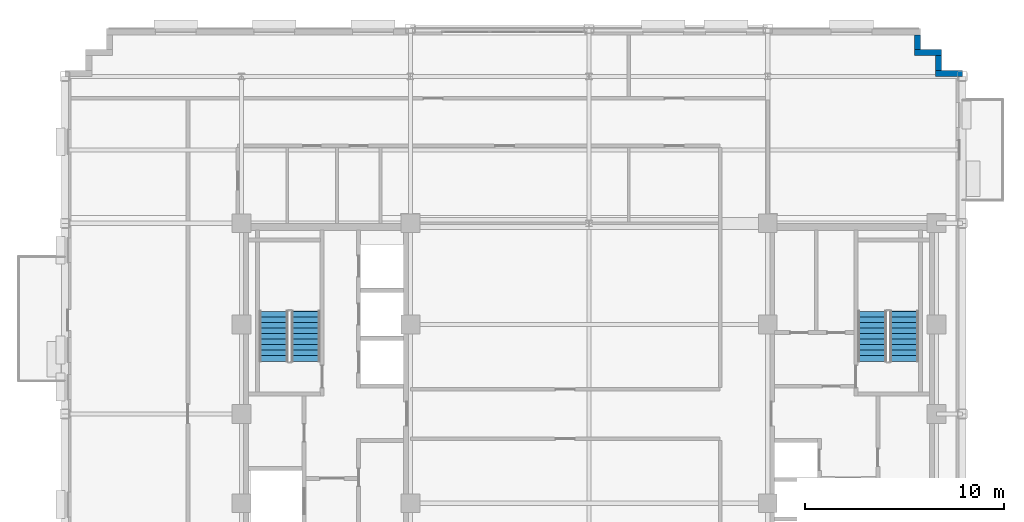
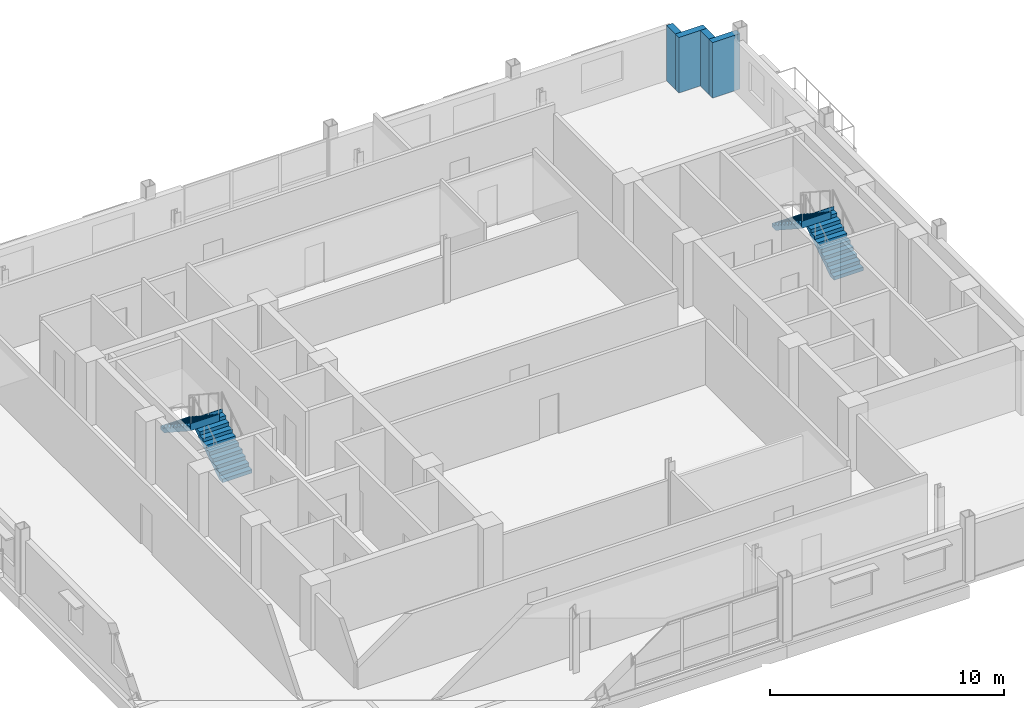
# One storey, part 9 of 15: 4 stair flights, 4 walls, 2 elements without a shape of their own.
"""IFC4 building model written with IfcOpenShell, lengths in metres."""

from ifc_helpers import new_model, si_unit, direction, frame, frame_2d, origin, place, context, subcontext, project, spatial, polyline, rectangle, outline, extrude, material, layer, layer_set, type_object, element, aggregate, save


model = new_model("IFC4")

# Units and contexts
model_context = context("Model", 3, precision=1e-05, world=origin(), true_north=direction((0.0, 1.0)))
body_context = subcontext(model_context, "Body", "Model", "MODEL_VIEW")
ifc_project = project(units=[si_unit("LENGTHUNIT", "METRE"), si_unit("AREAUNIT", "SQUARE_METRE"), si_unit("VOLUMEUNIT", "CUBIC_METRE"), si_unit("PLANEANGLEUNIT", "RADIAN"), si_unit("MASSUNIT", "GRAM", prefix="KILO")], contexts=[model_context])

# Site, building, storey
site_placement = place(None, origin())
site = spatial("IfcSite", under=ifc_project, at=site_placement, CompositionType="ELEMENT")
building_placement = place(site_placement, origin())
building = spatial("IfcBuilding", under=site, at=building_placement, Name="Nuvemarco Arch Tower", CompositionType="ELEMENT")
storey_placement = place(building_placement, frame((0.0, 0.0, 223.75)))
storey = spatial("IfcBuildingStorey", under=building, at=storey_placement, Name="L59", CompositionType="ELEMENT", Elevation=223.75)

# Walls
ifc_material = material(Name="Precast concrete C45/55", Category="concrete")
ifc_layer = layer(ifc_material, 0.31005859375, Name="EW-UPP-310")
ifc_layer_set = layer_set([ifc_layer], Name="Precast concrete C45/55")
wall_type = type_object("IfcWallType", Name="EW-UPP-310", PredefinedType="STANDARD", material=ifc_layer_set)
wall_1_placement = place(storey_placement, frame((17.43994140625, 17.14501953125, 0.0), z_axis=(0.0, 0.0, 1.0), x_axis=(1.0, 0.0, 0.0)))
element("IfcWall", 1, at=wall_1_placement, inside=storey, type_object=wall_type, Name="L59 exterior precast facade wall 7", PredefinedType="STANDARD", context=body_context, shape_type="SweptSolid", body=[
    extrude(rectangle(XDim=1.360107421875, YDim=0.31005859375, at=frame_2d((0.68017578125, 0.0))), origin(), (0.0, 0.0, 1.0), 2.89208984375),
])
wall_2_placement = place(storey_placement, frame((17.594970703125, 17.2958984375, 0.0), z_axis=(0.0, 0.0, 1.0), x_axis=(0.0, 1.0, 0.0)))
element("IfcWall", 2, at=wall_2_placement, inside=storey, type_object=wall_type, Name="L59 exterior precast facade wall 8", PredefinedType="STANDARD", context=body_context, shape_type="SweptSolid", body=[
    extrude(rectangle(XDim=0.748046875, YDim=0.31005859375, at=frame_2d((0.3740234375, 0.0))), origin(), (0.0, 0.0, 1.0), 2.89208984375),
])
wall_3_placement = place(storey_placement, frame((16.389892578125, 18.195068359375, 0.0), z_axis=(0.0, 0.0, 1.0), x_axis=(1.0, 0.0, 0.0)))
element("IfcWall", 3, at=wall_3_placement, inside=storey, type_object=wall_type, Name="L59 exterior precast facade wall 9", PredefinedType="STANDARD", context=body_context, shape_type="SweptSolid", body=[
    extrude(rectangle(XDim=1.360107421875, YDim=0.31005859375, at=frame_2d((0.68017578125, 0.0))), origin(), (0.0, 0.0, 1.0), 2.89208984375),
])
wall_4_placement = place(storey_placement, frame((16.544921875, 18.345947265625, 0.0), z_axis=(0.0, 0.0, 1.0), x_axis=(0.0, 1.0, 0.0)))
element("IfcWall", 4, at=wall_4_placement, inside=storey, type_object=wall_type, Name="L59 exterior precast facade wall 10", PredefinedType="STANDARD", context=body_context, shape_type="SweptSolid", body=[
    extrude(rectangle(XDim=0.748046875, YDim=0.31005859375, at=frame_2d((0.3740234375, 0.0))), origin(), (0.0, 0.0, 1.0), 2.89208984375),
])

# Stair, stair flights
stair_type = type_object("IfcStairType", Name="ST-CORE-20R", PredefinedType="HALF_TURN_STAIR", material=ifc_material)
stair_1_placement = place(storey_placement, origin())
stair_1 = element("IfcStair", 5, at=stair_1_placement, inside=storey, type_object=stair_type, Name="L59 Protected Exit Stair ST-1", PredefinedType="HALF_TURN_STAIR")
stair_flight_type = type_object("IfcStairFlightType", Name="SF-CORE-20R", PredefinedType="STRAIGHT", material=ifc_material)
stair_flight_1_placement = place(storey_placement, frame((-14.264892578125, 2.64990234375, 0.0), z_axis=(0.0, 0.0, 1.0), x_axis=(0.0, 1.0, 0.0)))
stair_flight_1 = element("IfcStairFlight", 6, at=stair_flight_1_placement, type_object=stair_flight_type, Name="ST-20R flight 1", NumberOfRisers=10, NumberOfTreads=9, PredefinedType="STRAIGHT", RiserHeight=0.1825, TreadLength=0.28, context=body_context, shape_type="SweptSolid", body=[
    extrude(outline(polyline([(0.0, 0.0), (0.0, 0.1826171875), (0.280029296875, 0.1826171875), (0.280029296875, 0.364990234375), (0.56005859375, 0.364990234375), (0.56005859375, 0.547607421875), (0.840087890625, 0.547607421875), (0.840087890625, 0.72998046875), (1.1201171875, 0.72998046875), (1.1201171875, 0.91259765625), (1.39990234375, 0.91259765625), (1.39990234375, 1.094970703125), (1.679931640625, 1.094970703125), (1.679931640625, 1.277587890625), (1.9599609375, 1.277587890625), (1.9599609375, 1.4599609375), (2.239990234375, 1.4599609375), (2.239990234375, 1.642578125), (2.52001953125, 1.642578125), (2.52001953125, 1.824951171875), (2.5400390625, 1.824951171875), (2.5400390625, 1.45166015625), (0.312744140625, 0.0), (0.0, 0.0)])), frame((0.0, 0.72509765625, 0.0), z_axis=(0.0, -1.0, 0.0), x_axis=(1.0, 0.0, 0.0)), (0.0, 0.0, 1.0), 1.449951171875),
])
stair_flight_2_placement = place(storey_placement, frame((-15.875, 5.169921875, 1.824951171875), z_axis=(0.0, 0.0, 1.0), x_axis=(0.0, -1.0, 0.0)))
stair_flight_2 = element("IfcStairFlight", 7, at=stair_flight_2_placement, type_object=stair_flight_type, Name="ST-20R flight 2", NumberOfRisers=10, NumberOfTreads=9, PredefinedType="STRAIGHT", RiserHeight=0.1825, TreadLength=0.28, context=body_context, shape_type="SweptSolid", body=[
    extrude(outline(polyline([(0.0, 0.0), (0.0, 0.1826171875), (0.280029296875, 0.1826171875), (0.280029296875, 0.364990234375), (0.56005859375, 0.364990234375), (0.56005859375, 0.547607421875), (0.840087890625, 0.547607421875), (0.840087890625, 0.72998046875), (1.1201171875, 0.72998046875), (1.1201171875, 0.91259765625), (1.39990234375, 0.91259765625), (1.39990234375, 1.094970703125), (1.679931640625, 1.094970703125), (1.679931640625, 1.277587890625), (1.9599609375, 1.277587890625), (1.9599609375, 1.4599609375), (2.239990234375, 1.4599609375), (2.239990234375, 1.642578125), (2.52001953125, 1.642578125), (2.52001953125, 1.824951171875), (2.5400390625, 1.824951171875), (2.5400390625, 1.45166015625), (0.312744140625, 0.0), (0.0, 0.0)])), frame((0.0, 0.72509765625, 0.0), z_axis=(0.0, -1.0, 0.0), x_axis=(1.0, 0.0, 0.0)), (0.0, 0.0, 1.0), 1.449951171875),
])
aggregate(stair_1, [stair_flight_1, stair_flight_2])

stair_2_placement = place(storey_placement, origin())
stair_2 = element("IfcStair", 8, at=stair_2_placement, inside=storey, type_object=stair_type, Name="L59 Protected Exit Stair ST-2", PredefinedType="HALF_TURN_STAIR")
stair_flight_3_placement = place(storey_placement, frame((15.875, 2.64990234375, 0.0), z_axis=(0.0, 0.0, 1.0), x_axis=(0.0, 1.0, 0.0)))
stair_flight_3 = element("IfcStairFlight", 9, at=stair_flight_3_placement, type_object=stair_flight_type, Name="ST-20R flight 1", NumberOfRisers=10, NumberOfTreads=9, PredefinedType="STRAIGHT", RiserHeight=0.1825, TreadLength=0.28, context=body_context, shape_type="SweptSolid", body=[
    extrude(outline(polyline([(0.0, 0.0), (0.0, 0.1826171875), (0.280029296875, 0.1826171875), (0.280029296875, 0.364990234375), (0.56005859375, 0.364990234375), (0.56005859375, 0.547607421875), (0.840087890625, 0.547607421875), (0.840087890625, 0.72998046875), (1.1201171875, 0.72998046875), (1.1201171875, 0.91259765625), (1.39990234375, 0.91259765625), (1.39990234375, 1.094970703125), (1.679931640625, 1.094970703125), (1.679931640625, 1.277587890625), (1.9599609375, 1.277587890625), (1.9599609375, 1.4599609375), (2.239990234375, 1.4599609375), (2.239990234375, 1.642578125), (2.52001953125, 1.642578125), (2.52001953125, 1.824951171875), (2.5400390625, 1.824951171875), (2.5400390625, 1.45166015625), (0.312744140625, 0.0), (0.0, 0.0)])), frame((0.0, 0.72509765625, 0.0), z_axis=(0.0, -1.0, 0.0), x_axis=(1.0, 0.0, 0.0)), (0.0, 0.0, 1.0), 1.449951171875),
])
stair_flight_4_placement = place(storey_placement, frame((14.264892578125, 5.169921875, 1.824951171875), z_axis=(0.0, 0.0, 1.0), x_axis=(0.0, -1.0, 0.0)))
stair_flight_4 = element("IfcStairFlight", 10, at=stair_flight_4_placement, type_object=stair_flight_type, Name="ST-20R flight 2", NumberOfRisers=10, NumberOfTreads=9, PredefinedType="STRAIGHT", RiserHeight=0.1825, TreadLength=0.28, context=body_context, shape_type="SweptSolid", body=[
    extrude(outline(polyline([(0.0, 0.0), (0.0, 0.1826171875), (0.280029296875, 0.1826171875), (0.280029296875, 0.364990234375), (0.56005859375, 0.364990234375), (0.56005859375, 0.547607421875), (0.840087890625, 0.547607421875), (0.840087890625, 0.72998046875), (1.1201171875, 0.72998046875), (1.1201171875, 0.91259765625), (1.39990234375, 0.91259765625), (1.39990234375, 1.094970703125), (1.679931640625, 1.094970703125), (1.679931640625, 1.277587890625), (1.9599609375, 1.277587890625), (1.9599609375, 1.4599609375), (2.239990234375, 1.4599609375), (2.239990234375, 1.642578125), (2.52001953125, 1.642578125), (2.52001953125, 1.824951171875), (2.5400390625, 1.824951171875), (2.5400390625, 1.45166015625), (0.312744140625, 0.0), (0.0, 0.0)])), frame((0.0, 0.72509765625, 0.0), z_axis=(0.0, -1.0, 0.0), x_axis=(1.0, 0.0, 0.0)), (0.0, 0.0, 1.0), 1.449951171875),
])
aggregate(stair_2, [stair_flight_3, stair_flight_4])

save(model, "model.ifc")
